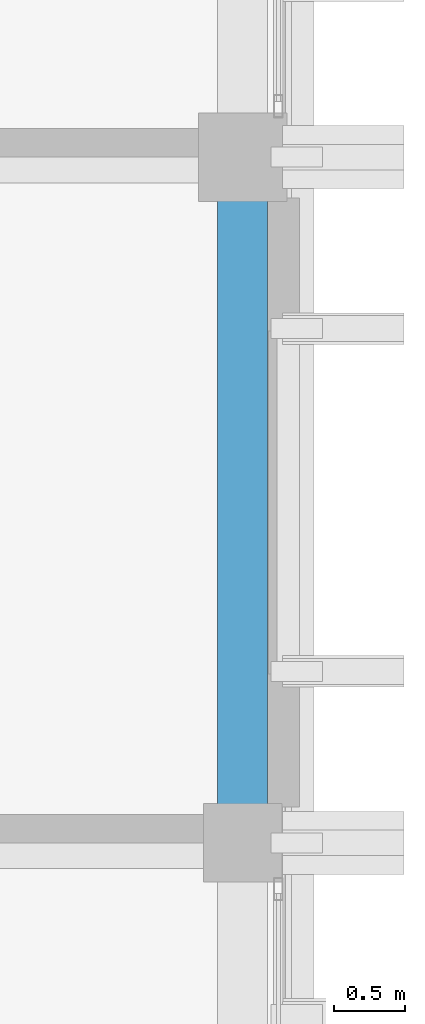
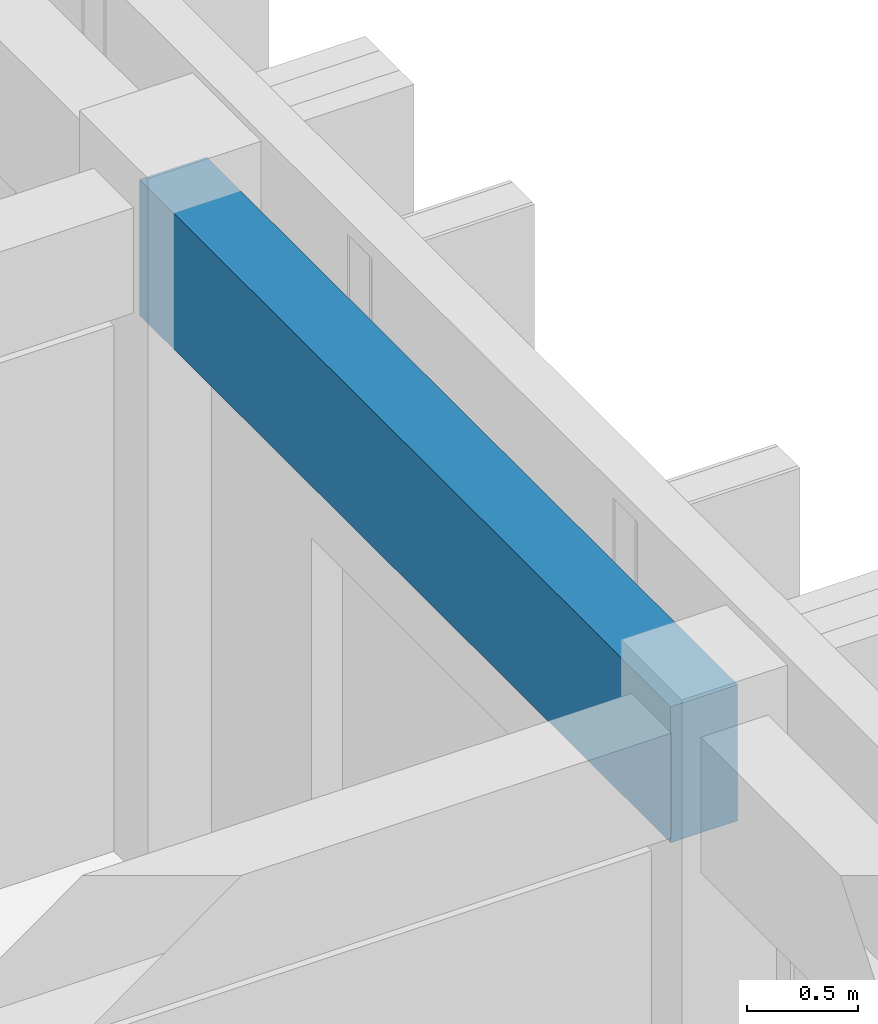
# One storey, part 9 of 50: 1 beam.
"""IFC4 building model written with IfcOpenShell, lengths in metres."""

from ifc_helpers import new_model, si_unit, direction, frame, origin, origin_2d, place, context, subcontext, project, spatial, rectangle, extrude, material, material_profile, profile_set, type_object, element, save


model = new_model("IFC4")

# Units and contexts
model_context = context("Model", 3, precision=1e-05, world=origin(), true_north=direction((0.0, 1.0)))
body_context = subcontext(model_context, "Body", "Model", "MODEL_VIEW")
ifc_project = project(units=[si_unit("LENGTHUNIT", "METRE"), si_unit("AREAUNIT", "SQUARE_METRE"), si_unit("VOLUMEUNIT", "CUBIC_METRE"), si_unit("PLANEANGLEUNIT", "RADIAN"), si_unit("MASSUNIT", "GRAM", prefix="KILO")], contexts=[model_context])

# Site, building, storey
site_placement = place(None, origin())
site = spatial("IfcSite", under=ifc_project, at=site_placement, CompositionType="ELEMENT")
building_placement = place(site_placement, origin())
building = spatial("IfcBuilding", under=site, at=building_placement, Name="Nakhvara Creek Congress Hotel", CompositionType="ELEMENT")
storey_placement = place(building_placement, frame((0.0, 0.0, 42.60009765625)))
storey = spatial("IfcBuildingStorey", under=building, at=storey_placement, Name="L10", CompositionType="ELEMENT", Elevation=42.60009765625)

# Beam
ifc_material = material(Name="Concrete C40/50", Category="concrete")
ifc_material_profile = material_profile(ifc_material, rectangle(XDim=0.35009765625, YDim=0.75, at=origin_2d()), Name="RC-SPANDREL 350x750", Category="LoadBearing")
ifc_profile_set = profile_set([ifc_material_profile], Name="Concrete C40/50")
beam_type = type_object("IfcBeamType", Name="BM-SPN-350X750", PredefinedType="SPANDREL", material=ifc_profile_set)
beam_placement = place(storey_placement, frame((179.35009765625, 72.0, 3.284912109375), z_axis=(0.0, 1.0, 0.0), x_axis=(-1.0, 0.0, 0.0)))
element("IfcBeam", 1, at=beam_placement, inside=storey, type_object=beam_type, Name="Beam SP1-L10-2690", PredefinedType="SPANDREL", context=body_context, shape_type="SweptSolid", body=[
    extrude(rectangle(XDim=0.35009765625, YDim=0.75, at=origin_2d()), origin(), (0.0, 0.0, 1.0), 4.800048828125),
])

save(model, "model.ifc")
